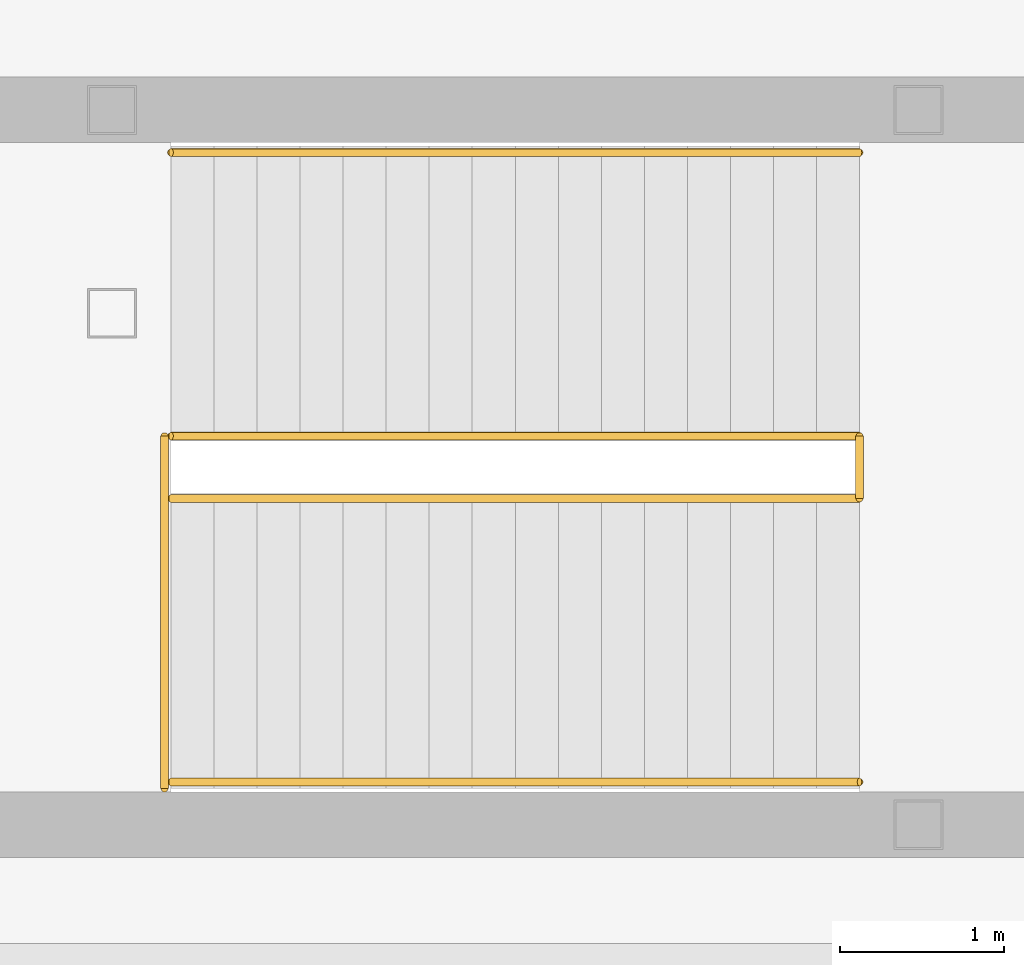
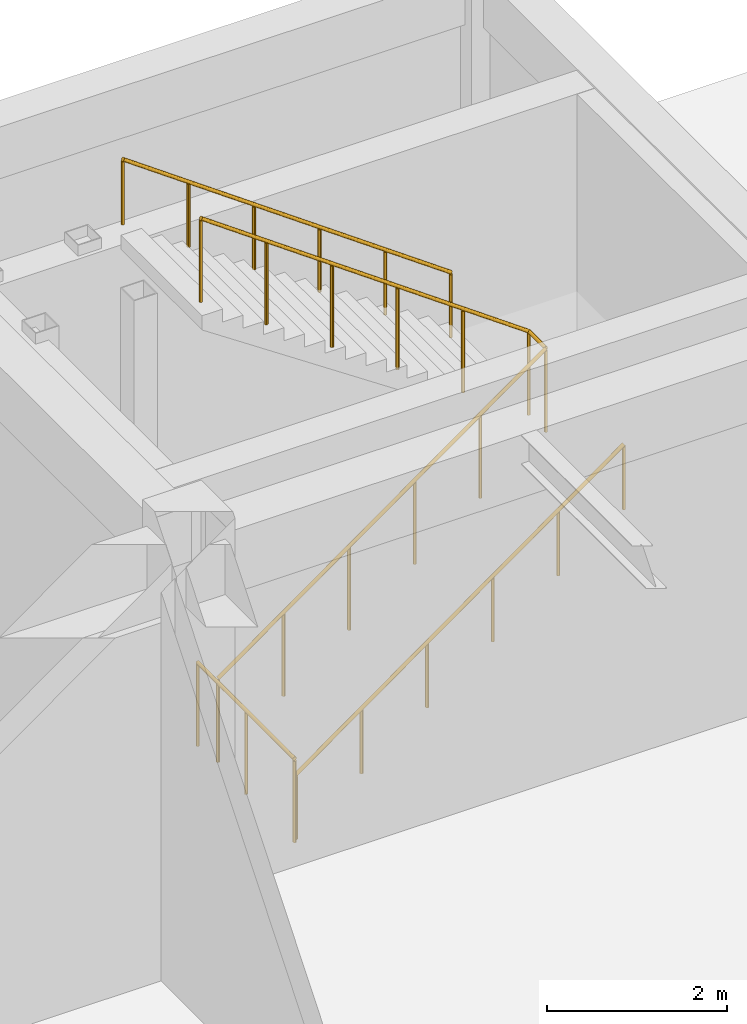
# One storey, part 72 of 76: 6 railings.
"""IFC4 building model written with IfcOpenShell, lengths in metres."""

from ifc_helpers import new_model, si_unit, direction, frame, origin, origin_2d, place, context, subcontext, project, spatial, circle, extrude, material, layer, layer_set, type_object, element, save


model = new_model("IFC4")

# Units and contexts
model_context = context("Model", 3, precision=1e-05, world=origin(), true_north=direction((0.0, 1.0)))
body_context = subcontext(model_context, "Body", "Model", "MODEL_VIEW")
ifc_project = project(units=[si_unit("LENGTHUNIT", "METRE"), si_unit("AREAUNIT", "SQUARE_METRE"), si_unit("VOLUMEUNIT", "CUBIC_METRE"), si_unit("PLANEANGLEUNIT", "RADIAN"), si_unit("MASSUNIT", "GRAM", prefix="KILO")], contexts=[model_context])

# Site, building, storey
site_placement = place(None, origin())
site = spatial("IfcSite", under=ifc_project, at=site_placement, CompositionType="ELEMENT")
building_placement = place(site_placement, origin())
building = spatial("IfcBuilding", under=site, at=building_placement, Name="Naruveol Harbour Congress Hotel", CompositionType="ELEMENT")
storey_placement = place(building_placement, origin())
storey = spatial("IfcBuildingStorey", under=building, at=storey_placement, Name="L00", CompositionType="ELEMENT", Elevation=0.0)

# Railings
ifc_material_1 = material(Name="Stainless Steel 304", Category="steel")
ifc_layer_1 = layer(ifc_material_1, 0.0419921875)
ifc_layer_set_1 = layer_set([ifc_layer_1], Name="Stainless Steel 304")
railing_type_1 = type_object("IfcRailingType", Name="STAIR WALL MOUNTED HANDRAIL 900", PredefinedType="HANDRAIL", material=ifc_layer_set_1)
railing_1_placement = place(storey_placement, frame((35.699951171875, 105.260009765625, 0.0)))
element("IfcRailing", 1, at=railing_1_placement, inside=storey, type_object=railing_type_1, Name="Stair ST7 L00 lower wall handrail", PredefinedType="HANDRAIL", context=body_context, shape_type="SweptSolid", body=[
    extrude(circle(Radius=0.02392578125, at=origin_2d()), frame((0.0, 0.0, 0.8759765625), z_axis=(0.813730275137, 0.0, 0.581242668191), x_axis=(0.0, 1.0, 0.0)), (0.0, 0.0, 1.0), 5.161376953125),
    extrude(circle(Radius=0.02099609375, at=origin_2d()), origin(), (0.0, 0.0, 1.0), 0.851806640625),
    extrude(circle(Radius=0.02099609375, at=origin_2d()), frame((0.840087890625, 0.0, 0.60009765625)), (0.0, 0.0, 1.0), 0.851806640625),
    extrude(circle(Radius=0.02099609375, at=origin_2d()), frame((1.679931640625, 0.0, 1.199951171875)), (0.0, 0.0, 1.0), 0.851806640625),
    extrude(circle(Radius=0.02099609375, at=origin_2d()), frame((2.52001953125, 0.0, 1.800048828125)), (0.0, 0.0, 1.0), 0.851806640625),
    extrude(circle(Radius=0.02099609375, at=origin_2d()), frame((3.35986328125, 0.0, 2.39990234375)), (0.0, 0.0, 1.0), 0.851806640625),
    extrude(circle(Radius=0.02099609375, at=origin_2d()), frame((4.199951171875, 0.0, 3.0)), (0.0, 0.0, 1.0), 0.851806640625),
])
railing_2_placement = place(storey_placement, frame((39.89990234375, 109.10009765625, 3.0)))
element("IfcRailing", 2, at=railing_2_placement, inside=storey, type_object=railing_type_1, Name="Stair ST7 L00 upper wall handrail", PredefinedType="HANDRAIL", context=body_context, shape_type="SweptSolid", body=[
    extrude(circle(Radius=0.02392578125, at=origin_2d()), frame((0.0, 0.0, 0.8759765625), z_axis=(-0.813730275137, 0.0, 0.581242668191), x_axis=(0.0, -1.0, 0.0)), (0.0, 0.0, 1.0), 5.161376953125),
    extrude(circle(Radius=0.02099609375, at=origin_2d()), origin(), (0.0, 0.0, 1.0), 0.851806640625),
    extrude(circle(Radius=0.02099609375, at=origin_2d()), frame((-0.840087890625, 0.0, 0.60009765625)), (0.0, 0.0, 1.0), 0.851806640625),
    extrude(circle(Radius=0.02099609375, at=origin_2d()), frame((-1.679931640625, 0.0, 1.199951171875)), (0.0, 0.0, 1.0), 0.851806640625),
    extrude(circle(Radius=0.02099609375, at=origin_2d()), frame((-2.52001953125, 0.0, 1.800048828125)), (0.0, 0.0, 1.0), 0.851806640625),
    extrude(circle(Radius=0.02099609375, at=origin_2d()), frame((-3.35986328125, 0.0, 2.39990234375)), (0.0, 0.0, 1.0), 0.851806640625),
    extrude(circle(Radius=0.02099609375, at=origin_2d()), frame((-4.199951171875, 0.0, 3.0)), (0.0, 0.0, 1.0), 0.851806640625),
])
ifc_material_2 = material(Name="Steel SN490", Category="steel")
ifc_layer_2 = layer(ifc_material_2, 0.044921875)
ifc_layer_set_2 = layer_set([ifc_layer_2], Name="Steel SN490")
railing_type_2 = type_object("IfcRailingType", Name="STAIRWELL STEEL GUARDRAIL 1150", PredefinedType="GUARDRAIL", material=ifc_layer_set_2)
railing_3_placement = place(storey_placement, frame((35.699951171875, 106.989990234375, 0.0)))
element("IfcRailing", 3, at=railing_3_placement, inside=storey, type_object=railing_type_2, Name="Stair ST7 L00 lower well guard", PredefinedType="GUARDRAIL", context=body_context, shape_type="SweptSolid", body=[
    extrude(circle(Radius=0.02392578125, at=origin_2d()), frame((0.0, 0.0, 1.1259765625), z_axis=(0.813730275137, 0.0, 0.581242668191), x_axis=(0.0, 1.0, 0.0)), (0.0, 0.0, 1.0), 5.161376953125),
    extrude(circle(Radius=0.02099609375, at=origin_2d()), origin(), (0.0, 0.0, 1.0), 1.101806640625),
    extrude(circle(Radius=0.02099609375, at=origin_2d()), frame((0.840087890625, 0.0, 0.60009765625)), (0.0, 0.0, 1.0), 1.101806640625),
    extrude(circle(Radius=0.02099609375, at=origin_2d()), frame((1.679931640625, 0.0, 1.199951171875)), (0.0, 0.0, 1.0), 1.101806640625),
    extrude(circle(Radius=0.02099609375, at=origin_2d()), frame((2.52001953125, 0.0, 1.800048828125)), (0.0, 0.0, 1.0), 1.101806640625),
    extrude(circle(Radius=0.02099609375, at=origin_2d()), frame((3.35986328125, 0.0, 2.39990234375)), (0.0, 0.0, 1.0), 1.101806640625),
    extrude(circle(Radius=0.02099609375, at=origin_2d()), frame((4.199951171875, 0.0, 3.0)), (0.0, 0.0, 1.0), 1.101806640625),
])
railing_4_placement = place(storey_placement, frame((39.89990234375, 106.989990234375, 3.0)))
element("IfcRailing", 4, at=railing_4_placement, inside=storey, type_object=railing_type_2, Name="Stair ST7 L00 half-landing slot guard", PredefinedType="GUARDRAIL", context=body_context, shape_type="SweptSolid", body=[
    extrude(circle(Radius=0.02392578125, at=origin_2d()), frame((0.0, 0.0, 1.1259765625), z_axis=(0.0, 1.0, 0.0), x_axis=(-1.0, 0.0, 0.0)), (0.0, 0.0, 1.0), 0.380126953125),
    extrude(circle(Radius=0.02099609375, at=origin_2d()), origin(), (0.0, 0.0, 1.0), 1.101806640625),
    extrude(circle(Radius=0.02099609375, at=origin_2d()), frame((0.0, 0.380126953125, 0.0)), (0.0, 0.0, 1.0), 1.101806640625),
])
railing_5_placement = place(storey_placement, frame((39.89990234375, 107.3701171875, 3.0)))
element("IfcRailing", 5, at=railing_5_placement, inside=storey, type_object=railing_type_2, Name="Stair ST7 L00 upper well guard", PredefinedType="GUARDRAIL", context=body_context, shape_type="SweptSolid", body=[
    extrude(circle(Radius=0.02392578125, at=origin_2d()), frame((0.0, 0.0, 1.1259765625), z_axis=(-0.813730275137, 0.0, 0.581242668191), x_axis=(0.0, -1.0, 0.0)), (0.0, 0.0, 1.0), 5.161376953125),
    extrude(circle(Radius=0.02099609375, at=origin_2d()), origin(), (0.0, 0.0, 1.0), 1.101806640625),
    extrude(circle(Radius=0.02099609375, at=origin_2d()), frame((-0.840087890625, 0.0, 0.60009765625)), (0.0, 0.0, 1.0), 1.101806640625),
    extrude(circle(Radius=0.02099609375, at=origin_2d()), frame((-1.679931640625, 0.0, 1.199951171875)), (0.0, 0.0, 1.0), 1.101806640625),
    extrude(circle(Radius=0.02099609375, at=origin_2d()), frame((-2.52001953125, 0.0, 1.800048828125)), (0.0, 0.0, 1.0), 1.101806640625),
    extrude(circle(Radius=0.02099609375, at=origin_2d()), frame((-3.35986328125, 0.0, 2.39990234375)), (0.0, 0.0, 1.0), 1.101806640625),
    extrude(circle(Radius=0.02099609375, at=origin_2d()), frame((-4.199951171875, 0.0, 3.0)), (0.0, 0.0, 1.0), 1.101806640625),
])
railing_6_placement = place(storey_placement, frame((35.659912109375, 105.219970703125, 0.0)))
element("IfcRailing", 6, at=railing_6_placement, inside=storey, type_object=railing_type_2, Name="Stair ST7 L00 landing well guard", PredefinedType="GUARDRAIL", context=body_context, shape_type="SweptSolid", body=[
    extrude(circle(Radius=0.02392578125, at=origin_2d()), frame((0.0, 0.0, 1.1259765625), z_axis=(0.0, 1.0, 0.0), x_axis=(-1.0, 0.0, 0.0)), (0.0, 0.0, 1.0), 2.150146484375),
    extrude(circle(Radius=0.02099609375, at=origin_2d()), origin(), (0.0, 0.0, 1.0), 1.101806640625),
    extrude(circle(Radius=0.02099609375, at=origin_2d()), frame((0.0, 1.0751953125, 0.0)), (0.0, 0.0, 1.0), 1.101806640625),
    extrude(circle(Radius=0.02099609375, at=origin_2d()), frame((0.0, 2.150146484375, 0.0)), (0.0, 0.0, 1.0), 1.101806640625),
])

save(model, "model.ifc")
